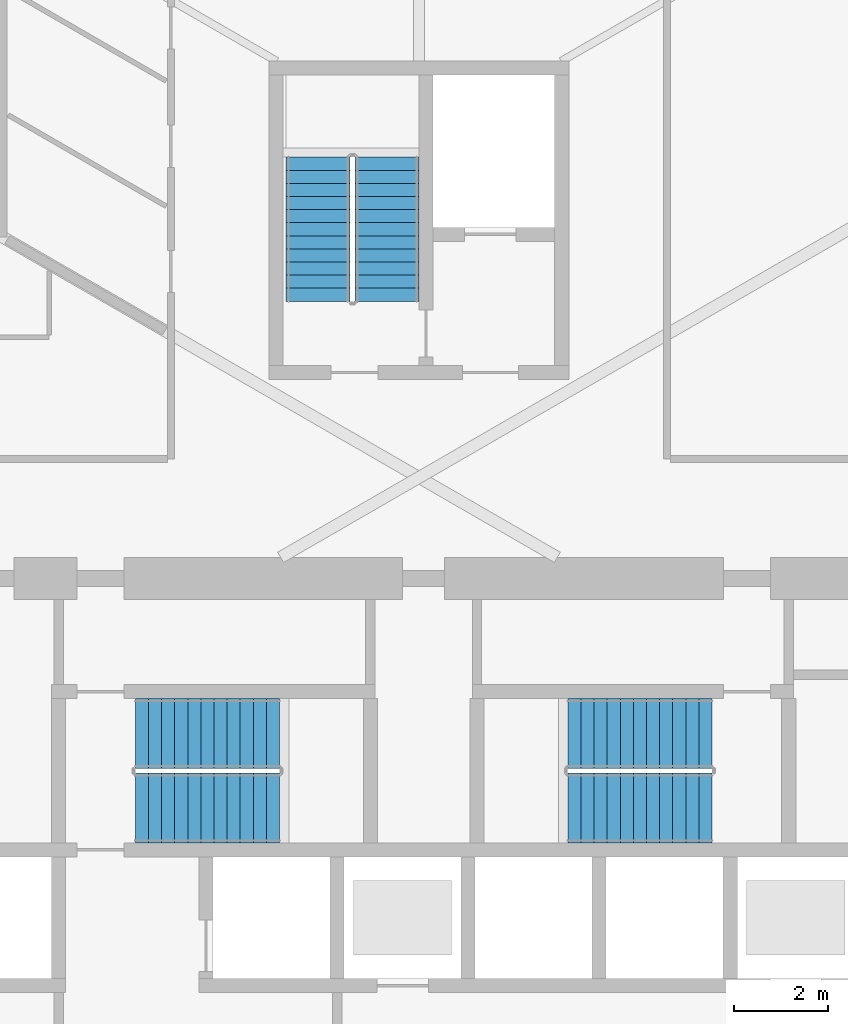
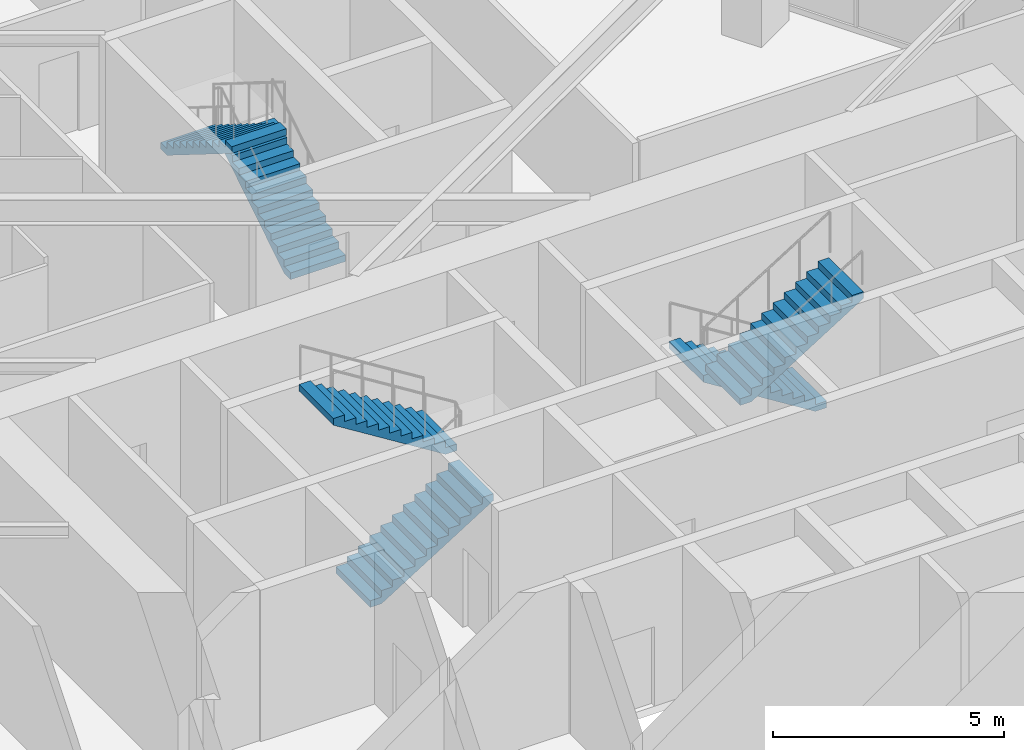
# One storey, part 20 of 22: 6 stair flights, 3 elements without a shape of their own.
"""IFC4 building model written with IfcOpenShell, lengths in metres."""

from ifc_helpers import new_model, si_unit, direction, frame, origin, place, context, subcontext, project, spatial, polyline, outline, extrude, material, type_object, element, aggregate, save


model = new_model("IFC4")

# Units and contexts
model_context = context("Model", 3, precision=1e-05, world=origin(), true_north=direction((0.0, 1.0)))
body_context = subcontext(model_context, "Body", "Model", "MODEL_VIEW")
ifc_project = project(units=[si_unit("LENGTHUNIT", "METRE"), si_unit("AREAUNIT", "SQUARE_METRE"), si_unit("VOLUMEUNIT", "CUBIC_METRE"), si_unit("PLANEANGLEUNIT", "RADIAN"), si_unit("MASSUNIT", "GRAM", prefix="KILO")], contexts=[model_context])

# Site, building, storey
site_placement = place(None, origin())
site = spatial("IfcSite", under=ifc_project, at=site_placement, CompositionType="ELEMENT")
building_placement = place(site_placement, origin())
building = spatial("IfcBuilding", under=site, at=building_placement, Name="Firuza Gate Tower and Library", CompositionType="ELEMENT")
storey_placement = place(building_placement, frame((0.0, 0.0, 132.39990234375)))
storey = spatial("IfcBuildingStorey", under=building, at=storey_placement, Name="L30", CompositionType="ELEMENT", Elevation=132.39990234375)

# Stair, stair flights
ifc_material_1 = material(Name="Concrete C35/45", Category="concrete")
stair_type_1 = type_object("IfcStairType", Name="Exit stair ST14", PredefinedType="HALF_TURN_STAIR", material=ifc_material_1)
placement = place(storey_placement, origin())
stair_1 = element("IfcStair", 1, at=placement, inside=storey, type_object=stair_type_1, Name="L30 Stair ST3", PredefinedType="HALF_TURN_STAIR")
ifc_material_2 = material(Name="Concrete C35/45", Category="concrete")
stair_flight_type_1 = type_object("IfcStairFlightType", Name="Stair flight 12 risers 175 width 1370", PredefinedType="STRAIGHT", material=ifc_material_2)
stair_flight_1_placement = place(storey_placement, frame((74.31494140625, 89.469970703125, 0.0), z_axis=(0.0, 0.0, 1.0), x_axis=(0.0, 1.0, 0.0)))
stair_flight_1 = element("IfcStairFlight", 2, at=stair_flight_1_placement, type_object=stair_flight_type_1, Name="ST3 flight 1", NumberOfRisers=12, NumberOfTreads=11, PredefinedType="STRAIGHT", RiserHeight=0.175, TreadLength=0.28, context=body_context, shape_type="SweptSolid", body=[
    extrude(outline(polyline([(0.0, 0.0), (0.0, 0.175048828125), (0.280029296875, 0.175048828125), (0.280029296875, 0.35009765625), (0.56005859375, 0.35009765625), (0.56005859375, 0.52490234375), (0.840087890625, 0.52490234375), (0.840087890625, 0.699951171875), (1.1201171875, 0.699951171875), (1.1201171875, 0.875), (1.39990234375, 0.875), (1.39990234375, 1.050048828125), (1.679931640625, 1.050048828125), (1.679931640625, 1.22509765625), (1.9599609375, 1.22509765625), (1.9599609375, 1.39990234375), (2.239990234375, 1.39990234375), (2.239990234375, 1.574951171875), (2.52001953125, 1.574951171875), (2.52001953125, 1.75), (2.800048828125, 1.75), (2.800048828125, 1.925048828125), (3.080078125, 1.925048828125), (3.080078125, 2.10009765625), (3.080078125, 1.748291015625), (0.28271484375, 0.0), (0.0, 0.0)])), frame((0.0, 0.68505859375, 0.0), z_axis=(0.0, -1.0, 0.0), x_axis=(1.0, 0.0, 0.0)), (0.0, 0.0, 1.0), 1.3701171875),
])
stair_flight_2_placement = place(storey_placement, frame((72.844970703125, 92.550048828125, 2.10009765625), z_axis=(0.0, 0.0, 1.0), x_axis=(0.0, -1.0, 0.0)))
stair_flight_2 = element("IfcStairFlight", 3, at=stair_flight_2_placement, type_object=stair_flight_type_1, Name="ST3 flight 2", NumberOfRisers=12, NumberOfTreads=11, PredefinedType="STRAIGHT", RiserHeight=0.175, TreadLength=0.28, context=body_context, shape_type="SweptSolid", body=[
    extrude(outline(polyline([(0.0, 0.0), (0.0, 0.175048828125), (0.280029296875, 0.175048828125), (0.280029296875, 0.35009765625), (0.56005859375, 0.35009765625), (0.56005859375, 0.52490234375), (0.840087890625, 0.52490234375), (0.840087890625, 0.699951171875), (1.1201171875, 0.699951171875), (1.1201171875, 0.875), (1.39990234375, 0.875), (1.39990234375, 1.050048828125), (1.679931640625, 1.050048828125), (1.679931640625, 1.22509765625), (1.9599609375, 1.22509765625), (1.9599609375, 1.39990234375), (2.239990234375, 1.39990234375), (2.239990234375, 1.574951171875), (2.52001953125, 1.574951171875), (2.52001953125, 1.75), (2.800048828125, 1.75), (2.800048828125, 1.925048828125), (3.080078125, 1.925048828125), (3.080078125, 2.10009765625), (3.080078125, 1.748291015625), (0.28271484375, 0.0), (0.0, 0.0)])), frame((0.0, 0.68505859375, 0.0), z_axis=(0.0, -1.0, 0.0), x_axis=(1.0, 0.0, 0.0)), (0.0, 0.0, 1.0), 1.3701171875),
])
aggregate(stair_1, [stair_flight_1, stair_flight_2])

ifc_material_3 = material(Name="Concrete C35/45", Category="concrete")
stair_type_2 = type_object("IfcStairType", Name="Exit stair ST5", PredefinedType="HALF_TURN_STAIR", material=ifc_material_3)
stair_2 = element("IfcStair", 4, at=placement, inside=storey, type_object=stair_type_2, Name="L30 Stair ST1", PredefinedType="HALF_TURN_STAIR")
ifc_material_4 = material(Name="Concrete C35/45", Category="concrete")
stair_flight_type_2 = type_object("IfcStairFlightType", Name="Stair flight 12 risers 175 width 1490", PredefinedType="STRAIGHT", material=ifc_material_4)
stair_flight_3_placement = place(storey_placement, frame((68.93994140625, 78.64501953125, 0.0), z_axis=(0.0, 0.0, 1.0), x_axis=(1.0, 0.0, 0.0)))
stair_flight_3 = element("IfcStairFlight", 5, at=stair_flight_3_placement, type_object=stair_flight_type_2, Name="ST1 flight 1", NumberOfRisers=12, NumberOfTreads=11, PredefinedType="STRAIGHT", RiserHeight=0.175, TreadLength=0.28, context=body_context, shape_type="SweptSolid", body=[
    extrude(outline(polyline([(0.0, 0.0), (0.0, 0.175048828125), (0.280029296875, 0.175048828125), (0.280029296875, 0.35009765625), (0.56005859375, 0.35009765625), (0.56005859375, 0.52490234375), (0.840087890625, 0.52490234375), (0.840087890625, 0.699951171875), (1.1201171875, 0.699951171875), (1.1201171875, 0.875), (1.39990234375, 0.875), (1.39990234375, 1.050048828125), (1.679931640625, 1.050048828125), (1.679931640625, 1.22509765625), (1.9599609375, 1.22509765625), (1.9599609375, 1.39990234375), (2.239990234375, 1.39990234375), (2.239990234375, 1.574951171875), (2.52001953125, 1.574951171875), (2.52001953125, 1.75), (2.800048828125, 1.75), (2.800048828125, 1.925048828125), (3.080078125, 1.925048828125), (3.080078125, 2.10009765625), (3.080078125, 1.748291015625), (0.28271484375, 0.0), (0.0, 0.0)])), frame((0.0, 0.7451171875, 0.0), z_axis=(0.0, -1.0, 0.0), x_axis=(1.0, 0.0, 0.0)), (0.0, 0.0, 1.0), 1.489990234375),
])
stair_flight_4_placement = place(storey_placement, frame((72.02001953125, 80.235107421875, 2.10009765625), z_axis=(0.0, 0.0, 1.0), x_axis=(-1.0, 0.0, 0.0)))
stair_flight_4 = element("IfcStairFlight", 6, at=stair_flight_4_placement, type_object=stair_flight_type_2, Name="ST1 flight 2", NumberOfRisers=12, NumberOfTreads=11, PredefinedType="STRAIGHT", RiserHeight=0.175, TreadLength=0.28, context=body_context, shape_type="SweptSolid", body=[
    extrude(outline(polyline([(0.0, 0.0), (0.0, 0.175048828125), (0.280029296875, 0.175048828125), (0.280029296875, 0.35009765625), (0.56005859375, 0.35009765625), (0.56005859375, 0.52490234375), (0.840087890625, 0.52490234375), (0.840087890625, 0.699951171875), (1.1201171875, 0.699951171875), (1.1201171875, 0.875), (1.39990234375, 0.875), (1.39990234375, 1.050048828125), (1.679931640625, 1.050048828125), (1.679931640625, 1.22509765625), (1.9599609375, 1.22509765625), (1.9599609375, 1.39990234375), (2.239990234375, 1.39990234375), (2.239990234375, 1.574951171875), (2.52001953125, 1.574951171875), (2.52001953125, 1.75), (2.800048828125, 1.75), (2.800048828125, 1.925048828125), (3.080078125, 1.925048828125), (3.080078125, 2.10009765625), (3.080078125, 1.748291015625), (0.28271484375, 0.0), (0.0, 0.0)])), frame((0.0, 0.7451171875, 0.0), z_axis=(0.0, -1.0, 0.0), x_axis=(1.0, 0.0, 0.0)), (0.0, 0.0, 1.0), 1.489990234375),
])
aggregate(stair_2, [stair_flight_3, stair_flight_4])

stair_3 = element("IfcStair", 7, at=placement, inside=storey, type_object=stair_type_2, Name="L30 Stair ST2", PredefinedType="HALF_TURN_STAIR")
stair_flight_5_placement = place(storey_placement, frame((81.260009765625, 80.235107421875, 0.0), z_axis=(0.0, 0.0, 1.0), x_axis=(-1.0, 0.0, 0.0)))
stair_flight_5 = element("IfcStairFlight", 8, at=stair_flight_5_placement, type_object=stair_flight_type_2, Name="ST2 flight 1", NumberOfRisers=12, NumberOfTreads=11, PredefinedType="STRAIGHT", RiserHeight=0.175, TreadLength=0.28, context=body_context, shape_type="SweptSolid", body=[
    extrude(outline(polyline([(0.0, 0.0), (0.0, 0.175048828125), (0.280029296875, 0.175048828125), (0.280029296875, 0.35009765625), (0.56005859375, 0.35009765625), (0.56005859375, 0.52490234375), (0.840087890625, 0.52490234375), (0.840087890625, 0.699951171875), (1.1201171875, 0.699951171875), (1.1201171875, 0.875), (1.39990234375, 0.875), (1.39990234375, 1.050048828125), (1.679931640625, 1.050048828125), (1.679931640625, 1.22509765625), (1.9599609375, 1.22509765625), (1.9599609375, 1.39990234375), (2.239990234375, 1.39990234375), (2.239990234375, 1.574951171875), (2.52001953125, 1.574951171875), (2.52001953125, 1.75), (2.800048828125, 1.75), (2.800048828125, 1.925048828125), (3.080078125, 1.925048828125), (3.080078125, 2.10009765625), (3.080078125, 1.748291015625), (0.28271484375, 0.0), (0.0, 0.0)])), frame((0.0, 0.7451171875, 0.0), z_axis=(0.0, -1.0, 0.0), x_axis=(1.0, 0.0, 0.0)), (0.0, 0.0, 1.0), 1.489990234375),
])
stair_flight_6_placement = place(storey_placement, frame((78.179931640625, 78.64501953125, 2.10009765625), z_axis=(0.0, 0.0, 1.0), x_axis=(1.0, 0.0, 0.0)))
stair_flight_6 = element("IfcStairFlight", 9, at=stair_flight_6_placement, type_object=stair_flight_type_2, Name="ST2 flight 2", NumberOfRisers=12, NumberOfTreads=11, PredefinedType="STRAIGHT", RiserHeight=0.175, TreadLength=0.28, context=body_context, shape_type="SweptSolid", body=[
    extrude(outline(polyline([(0.0, 0.0), (0.0, 0.175048828125), (0.280029296875, 0.175048828125), (0.280029296875, 0.35009765625), (0.56005859375, 0.35009765625), (0.56005859375, 0.52490234375), (0.840087890625, 0.52490234375), (0.840087890625, 0.699951171875), (1.1201171875, 0.699951171875), (1.1201171875, 0.875), (1.39990234375, 0.875), (1.39990234375, 1.050048828125), (1.679931640625, 1.050048828125), (1.679931640625, 1.22509765625), (1.9599609375, 1.22509765625), (1.9599609375, 1.39990234375), (2.239990234375, 1.39990234375), (2.239990234375, 1.574951171875), (2.52001953125, 1.574951171875), (2.52001953125, 1.75), (2.800048828125, 1.75), (2.800048828125, 1.925048828125), (3.080078125, 1.925048828125), (3.080078125, 2.10009765625), (3.080078125, 1.748291015625), (0.28271484375, 0.0), (0.0, 0.0)])), frame((0.0, 0.7451171875, 0.0), z_axis=(0.0, -1.0, 0.0), x_axis=(1.0, 0.0, 0.0)), (0.0, 0.0, 1.0), 1.489990234375),
])
aggregate(stair_3, [stair_flight_5, stair_flight_6])

save(model, "model.ifc")
